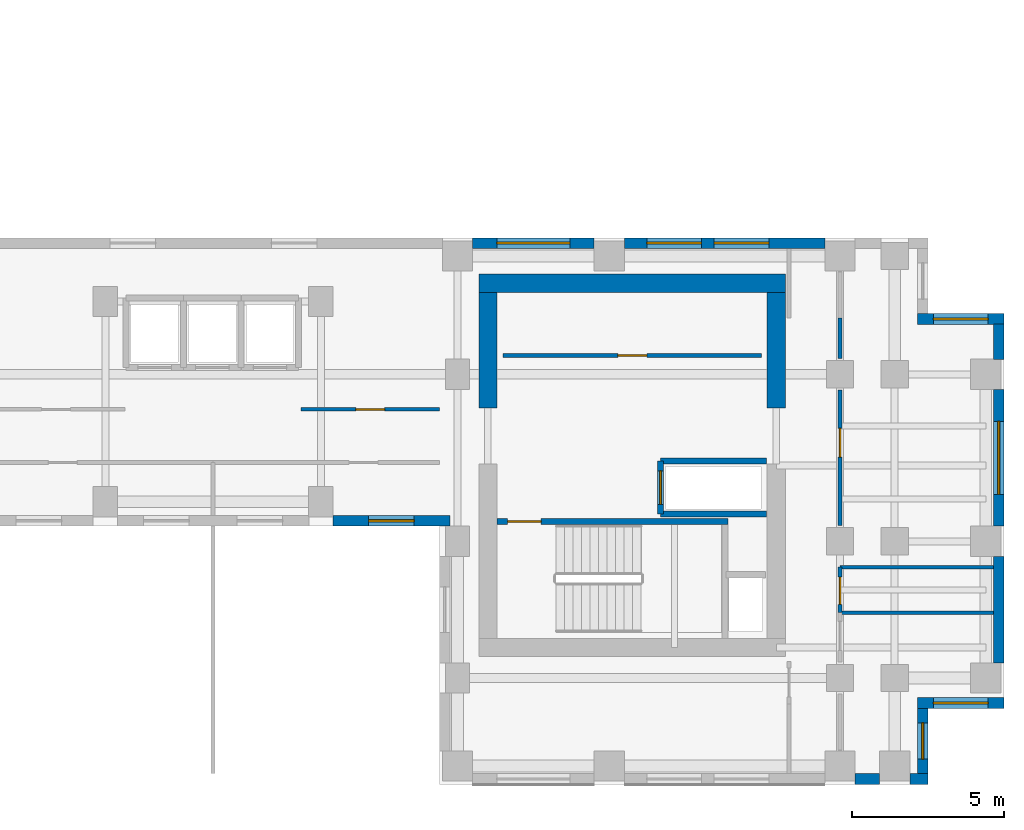
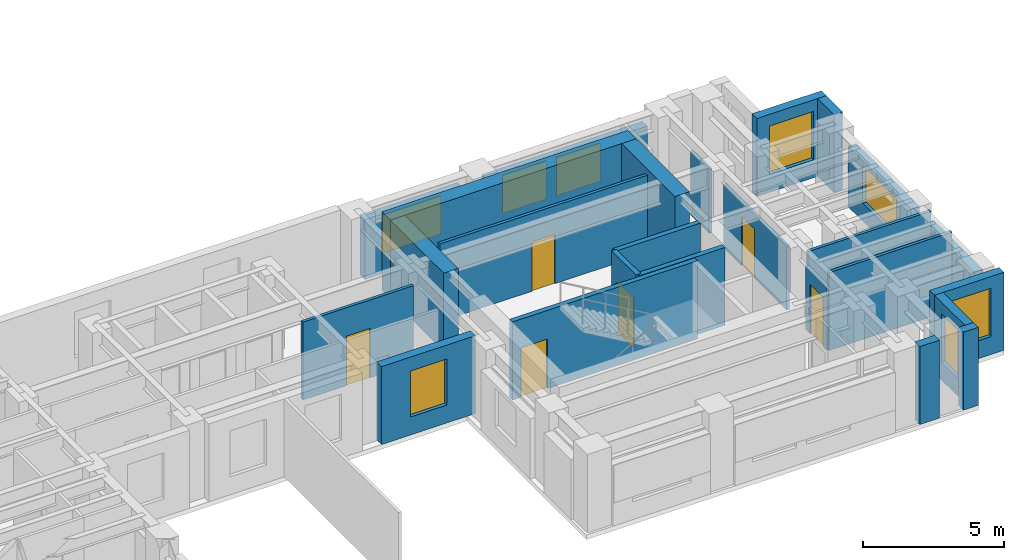
# One storey, part 7 of 10: 25 walls, 8 windows, 6 doors, 14 openings.
"""IFC4 building model written with IfcOpenShell, lengths in metres."""

from ifc_helpers import new_model, si_unit, direction, frame, frame_2d, origin, place, context, subcontext, project, spatial, rectangle, extrude, source, transform, mapped, material, layer, layer_set, type_object, element, fill, save


model = new_model("IFC4")

# Units and contexts
model_context = context("Model", 3, precision=1e-05, world=origin(), true_north=direction((0.0, 1.0)))
body_context = subcontext(model_context, "Body", "Model", "MODEL_VIEW")
ifc_project = project(units=[si_unit("LENGTHUNIT", "METRE"), si_unit("AREAUNIT", "SQUARE_METRE"), si_unit("VOLUMEUNIT", "CUBIC_METRE"), si_unit("PLANEANGLEUNIT", "RADIAN"), si_unit("MASSUNIT", "GRAM", prefix="KILO")], contexts=[model_context])

# Site, building, storey
site_placement = place(None, origin())
site = spatial("IfcSite", under=ifc_project, at=site_placement, CompositionType="ELEMENT")
building_placement = place(site_placement, origin())
building = spatial("IfcBuilding", under=site, at=building_placement, Name="Kharzan Plaza Tower", CompositionType="ELEMENT")
storey_placement = place(building_placement, frame((0.0, 0.0, 157.5)))
storey = spatial("IfcBuildingStorey", under=building, at=storey_placement, Name="L42", CompositionType="ELEMENT", Elevation=157.5)

# Wall, opening, window
ifc_material_1 = material(Name="Concrete C40/50", Category="concrete")
ifc_layer_1 = layer(ifc_material_1, 0.35009765625)
ifc_layer_set_1 = layer_set([ifc_layer_1], Name="Concrete C40/50")
wall_type_1 = type_object("IfcWallType", Name="WL-EXT-MAS-Z3", PredefinedType="SOLIDWALL", material=ifc_layer_set_1)
wall_1_placement = place(storey_placement, frame((30.89794921875, 8.675048828125, 0.0), z_axis=(0.0, 0.0, 1.0), x_axis=(1.0, 0.0, 0.0)))
wall_1 = element("IfcWall", 1, at=wall_1_placement, inside=storey, type_object=wall_type_1, Name="L42 Masonry-Frame Exterior Wall 28", PredefinedType="SOLIDWALL", context=body_context, shape_type="SweptSolid", body=[
    extrude(rectangle(XDim=3.85205078125, YDim=0.35009765625, at=frame_2d((1.926025390625, 0.0))), origin(), (0.0, 0.0, 1.0), 3.385009765625),
])
opening_1_placement = place(wall_1_placement, frame((1.176025390625, 0.0, 0.780029296875)))
opening_1 = element("IfcOpeningElement", 2, at=opening_1_placement, cuts=wall_1, Name="Opening W5", PredefinedType="OPENING", context=body_context, shape_type="SweptSolid", body=[
    extrude(rectangle(XDim=1.5, YDim=2.0, at=frame_2d((0.75, 1.0))), frame((0.0, 0.18505859375, 0.0), z_axis=(0.0, -1.0, 0.0), x_axis=(1.0, 0.0, 0.0)), (0.0, 0.0, 1.0), 0.3701171875),
])
ifc_material_2 = material(Name="Low-E Double Glazing", Category="glass")
window_type_1 = type_object("IfcWindowType", Name="WN-SLT-1500x2000", PartitioningType="SINGLE_PANEL", PredefinedType="WINDOW", material=ifc_material_2)
shared_shape_1 = source(origin(), body_context, "Body", "SweptSolid", [
    extrude(rectangle(XDim=1.5, YDim=2.0, at=frame_2d((0.75, 1.0))), frame((0.0, 0.030029296875, 0.0), z_axis=(0.0, -1.0, 0.0), x_axis=(1.0, 0.0, 0.0)), (0.0, 0.0, 1.0), 0.06005859375),
])
window_1_placement = place(opening_1_placement, origin())
window_1 = element("IfcWindow", 3, at=window_1_placement, inside=storey, type_object=window_type_1, Name="L42 Recessed Solar-Control Window 28-1", OverallHeight=2.0, OverallWidth=1.5, PartitioningType="SINGLE_PANEL", PredefinedType="WINDOW", context=body_context, shape_type="MappedRepresentation", body=[
    mapped(shared_shape_1, transform((0.0, 0.0, 0.0), x_axis=(1.0, 0.0, 0.0), y_axis=(0.0, 1.0, 0.0), z_axis=(0.0, 0.0, 1.0))),
])
fill(opening_1, window_1)

wall_2_placement = place(storey_placement, frame((50.324951171875, 0.347900390625, 0.0), z_axis=(0.0, 0.0, 1.0), x_axis=(0.0, 1.0, 0.0)))
wall_2 = element("IfcWall", 4, at=wall_2_placement, inside=storey, type_object=wall_type_1, Name="L42 Masonry-Frame Exterior Wall 35", PredefinedType="SOLIDWALL", context=body_context, shape_type="SweptSolid", body=[
    extrude(rectangle(XDim=2.154052734375, YDim=0.35009765625, at=frame_2d((1.0771484375, 0.0))), origin(), (0.0, 0.0, 1.0), 3.385009765625),
])
opening_2_placement = place(wall_2_placement, frame((0.47705078125, 0.0, 0.780029296875)))
opening_2 = element("IfcOpeningElement", 5, at=opening_2_placement, cuts=wall_2, Name="Opening W3", PredefinedType="OPENING", context=body_context, shape_type="SweptSolid", body=[
    extrude(rectangle(XDim=1.199951171875, YDim=2.10009765625, at=frame_2d((0.60009765625, 1.050048828125))), frame((0.0, 0.18505859375, 0.0), z_axis=(0.0, -1.0, 0.0), x_axis=(1.0, 0.0, 0.0)), (0.0, 0.0, 1.0), 0.3701171875),
])
window_type_2 = type_object("IfcWindowType", Name="WN-REC-1200x2100", PartitioningType="SINGLE_PANEL", PredefinedType="WINDOW", material=ifc_material_2)
shared_shape_2 = source(origin(), body_context, "Body", "SweptSolid", [
    extrude(rectangle(XDim=1.199951171875, YDim=2.10009765625, at=frame_2d((0.60009765625, 1.050048828125))), frame((0.0, 0.030029296875, 0.0), z_axis=(0.0, -1.0, 0.0), x_axis=(1.0, 0.0, 0.0)), (0.0, 0.0, 1.0), 0.06005859375),
])
window_2_placement = place(opening_2_placement, origin())
window_2 = element("IfcWindow", 6, at=window_2_placement, inside=storey, type_object=window_type_2, Name="L42 Recessed Solar-Control Window 35-1", OverallHeight=2.10009765625, OverallWidth=1.199951171875, PartitioningType="SINGLE_PANEL", PredefinedType="WINDOW", context=body_context, shape_type="MappedRepresentation", body=[
    mapped(shared_shape_2, transform((0.0, 0.0, 0.0), x_axis=(1.0, 0.0, 0.0), y_axis=(0.0, 1.0, 0.0), z_axis=(0.0, 0.0, 1.0))),
])
fill(opening_2, window_2)

wall_3_placement = place(storey_placement, frame((50.14990234375, 2.675048828125, 0.0), z_axis=(0.0, 0.0, 1.0), x_axis=(1.0, 0.0, 0.0)))
wall_3 = element("IfcWall", 7, at=wall_3_placement, inside=storey, type_object=wall_type_1, Name="L42 Masonry-Frame Exterior Wall 36", PredefinedType="SOLIDWALL", context=body_context, shape_type="SweptSolid", body=[
    extrude(rectangle(XDim=2.85009765625, YDim=0.35009765625, at=frame_2d((1.425048828125, 0.0))), origin(), (0.0, 0.0, 1.0), 3.385009765625),
])
opening_3_placement = place(wall_3_placement, frame((0.52490234375, 0.0, 0.780029296875)))
opening_3 = element("IfcOpeningElement", 8, at=opening_3_placement, cuts=wall_3, Name="Opening W1", PredefinedType="OPENING", context=body_context, shape_type="SweptSolid", body=[
    extrude(rectangle(XDim=1.800048828125, YDim=2.10009765625, at=frame_2d((0.89990234375, 1.050048828125))), frame((0.0, 0.18505859375, 0.0), z_axis=(0.0, -1.0, 0.0), x_axis=(1.0, 0.0, 0.0)), (0.0, 0.0, 1.0), 0.3701171875),
])
window_type_3 = type_object("IfcWindowType", Name="WN-REC-1800x2100", PartitioningType="SINGLE_PANEL", PredefinedType="WINDOW", material=ifc_material_2)
shared_shape_3 = source(origin(), body_context, "Body", "SweptSolid", [
    extrude(rectangle(XDim=1.800048828125, YDim=2.10009765625, at=frame_2d((0.89990234375, 1.050048828125))), frame((0.0, 0.030029296875, 0.0), z_axis=(0.0, -1.0, 0.0), x_axis=(1.0, 0.0, 0.0)), (0.0, 0.0, 1.0), 0.06005859375),
])
window_3_placement = place(opening_3_placement, origin())
window_3 = element("IfcWindow", 9, at=window_3_placement, inside=storey, type_object=window_type_3, Name="L42 Recessed Solar-Control Window 36-1", OverallHeight=2.10009765625, OverallWidth=1.800048828125, PartitioningType="SINGLE_PANEL", PredefinedType="WINDOW", context=body_context, shape_type="MappedRepresentation", body=[
    mapped(shared_shape_3, transform((0.0, 0.0, 0.0), x_axis=(1.0, 0.0, 0.0), y_axis=(0.0, 1.0, 0.0), z_axis=(0.0, 0.0, 1.0))),
])
fill(opening_3, window_3)

wall_4_placement = place(storey_placement, frame((52.824951171875, 8.498046875, 0.0), z_axis=(0.0, 0.0, 1.0), x_axis=(0.0, 1.0, 0.0)))
wall_4 = element("IfcWall", 10, at=wall_4_placement, inside=storey, type_object=wall_type_1, Name="L42 Masonry-Frame Exterior Wall 38", PredefinedType="SOLIDWALL", context=body_context, shape_type="SweptSolid", body=[
    extrude(rectangle(XDim=4.50390625, YDim=0.35009765625, at=frame_2d((2.251953125, 0.0))), origin(), (0.0, 0.0, 1.0), 2.612060546875),
])
opening_4_placement = place(wall_4_placement, frame((1.052001953125, 0.0, 0.780029296875)))
opening_4 = element("IfcOpeningElement", 11, at=opening_4_placement, cuts=wall_4, Name="Opening W2", PredefinedType="OPENING", context=body_context, shape_type="SweptSolid", body=[
    extrude(rectangle(XDim=2.39990234375, YDim=1.652099609375, at=frame_2d((1.199951171875, 0.826171875))), frame((0.0, 0.18505859375, 0.0), z_axis=(0.0, -1.0, 0.0), x_axis=(1.0, 0.0, 0.0)), (0.0, 0.0, 1.0), 0.3701171875),
])
window_type_4 = type_object("IfcWindowType", Name="WN-REC-2400x2100", PartitioningType="SINGLE_PANEL", PredefinedType="WINDOW", material=ifc_material_2)
shared_shape_4 = source(origin(), body_context, "Body", "SweptSolid", [
    extrude(rectangle(XDim=2.39990234375, YDim=1.652099609375, at=frame_2d((1.199951171875, 0.826171875))), frame((0.0, 0.030029296875, 0.0), z_axis=(0.0, -1.0, 0.0), x_axis=(1.0, 0.0, 0.0)), (0.0, 0.0, 1.0), 0.06005859375),
])
window_4_placement = place(opening_4_placement, origin())
window_4 = element("IfcWindow", 12, at=window_4_placement, inside=storey, type_object=window_type_4, Name="L42 Wide Recessed Solar-Control Window 38-1", OverallHeight=1.652099609375, OverallWidth=2.39990234375, PartitioningType="SINGLE_PANEL", PredefinedType="WINDOW", context=body_context, shape_type="MappedRepresentation", body=[
    mapped(shared_shape_4, transform((0.0, 0.0, 0.0), x_axis=(1.0, 0.0, 0.0), y_axis=(0.0, 1.0, 0.0), z_axis=(0.0, 0.0, 1.0))),
])
fill(opening_4, window_4)

wall_5_placement = place(storey_placement, frame((53.0, 15.324951171875, 0.0), z_axis=(0.0, 0.0, 1.0), x_axis=(-1.0, 0.0, 0.0)))
wall_5 = element("IfcWall", 13, at=wall_5_placement, inside=storey, type_object=wall_type_1, Name="L42 Masonry-Frame Exterior Wall 40", PredefinedType="SOLIDWALL", context=body_context, shape_type="SweptSolid", body=[
    extrude(rectangle(XDim=2.85009765625, YDim=0.35009765625, at=frame_2d((1.425048828125, 0.0))), origin(), (0.0, 0.0, 1.0), 3.385009765625),
])
opening_5_placement = place(wall_5_placement, frame((0.52490234375, 0.0, 0.780029296875)))
opening_5 = element("IfcOpeningElement", 14, at=opening_5_placement, cuts=wall_5, Name="Opening W1", PredefinedType="OPENING", context=body_context, shape_type="SweptSolid", body=[
    extrude(rectangle(XDim=1.800048828125, YDim=2.10009765625, at=frame_2d((0.89990234375, 1.050048828125))), frame((0.0, 0.18505859375, 0.0), z_axis=(0.0, -1.0, 0.0), x_axis=(1.0, 0.0, 0.0)), (0.0, 0.0, 1.0), 0.3701171875),
])
window_5_placement = place(opening_5_placement, origin())
window_5 = element("IfcWindow", 15, at=window_5_placement, inside=storey, type_object=window_type_3, Name="L42 Recessed Solar-Control Window 40-1", OverallHeight=2.10009765625, OverallWidth=1.800048828125, PartitioningType="SINGLE_PANEL", PredefinedType="WINDOW", context=body_context, shape_type="MappedRepresentation", body=[
    mapped(shared_shape_3, transform((0.0, 0.0, 0.0), x_axis=(1.0, 0.0, 0.0), y_axis=(0.0, 1.0, 0.0), z_axis=(0.0, 0.0, 1.0))),
])
fill(opening_5, window_5)

# Wall, openings, windows
wall_6_placement = place(storey_placement, frame((47.10205078125, 17.824951171875, 0.0), z_axis=(0.0, 0.0, 1.0), x_axis=(-1.0, 0.0, 0.0)))
wall_6 = element("IfcWall", 16, at=wall_6_placement, inside=storey, type_object=wall_type_1, Name="L42 Masonry-Frame Exterior Wall 44", PredefinedType="SOLIDWALL", context=body_context, shape_type="SweptSolid", body=[
    extrude(rectangle(XDim=6.60400390625, YDim=0.35009765625, at=frame_2d((3.302001953125, 0.0))), origin(), (0.0, 0.0, 1.0), 2.612060546875),
])
opening_6_placement = place(wall_6_placement, frame((1.849365234375, 0.0, 0.780029296875)))
opening_6 = element("IfcOpeningElement", 17, at=opening_6_placement, cuts=wall_6, Name="Opening W1", PredefinedType="OPENING", context=body_context, shape_type="SweptSolid", body=[
    extrude(rectangle(XDim=1.800048828125, YDim=1.652099609375, at=frame_2d((0.89990234375, 0.826171875))), frame((0.0, 0.18505859375, 0.0), z_axis=(0.0, -1.0, 0.0), x_axis=(1.0, 0.0, 0.0)), (0.0, 0.0, 1.0), 0.3701171875),
])
opening_7_placement = place(wall_6_placement, frame((4.066650390625, 0.0, 0.780029296875)))
opening_7 = element("IfcOpeningElement", 18, at=opening_7_placement, cuts=wall_6, Name="Opening W1", PredefinedType="OPENING", context=body_context, shape_type="SweptSolid", body=[
    extrude(rectangle(XDim=1.800048828125, YDim=1.652099609375, at=frame_2d((0.89990234375, 0.826171875))), frame((0.0, 0.18505859375, 0.0), z_axis=(0.0, -1.0, 0.0), x_axis=(1.0, 0.0, 0.0)), (0.0, 0.0, 1.0), 0.3701171875),
])
shared_shape_5 = source(origin(), body_context, "Body", "SweptSolid", [
    extrude(rectangle(XDim=1.800048828125, YDim=1.652099609375, at=frame_2d((0.89990234375, 0.826171875))), frame((0.0, 0.030029296875, 0.0), z_axis=(0.0, -1.0, 0.0), x_axis=(1.0, 0.0, 0.0)), (0.0, 0.0, 1.0), 0.06005859375),
])
window_6_placement = place(opening_6_placement, origin())
window_6 = element("IfcWindow", 19, at=window_6_placement, inside=storey, type_object=window_type_3, Name="L42 Recessed Solar-Control Window 44-1", OverallHeight=1.652099609375, OverallWidth=1.800048828125, PartitioningType="SINGLE_PANEL", PredefinedType="WINDOW", context=body_context, shape_type="MappedRepresentation", body=[
    mapped(shared_shape_5, transform((0.0, 0.0, 0.0), x_axis=(1.0, 0.0, 0.0), y_axis=(0.0, 1.0, 0.0), z_axis=(0.0, 0.0, 1.0))),
])
fill(opening_6, window_6)
window_7_placement = place(opening_7_placement, origin())
window_7 = element("IfcWindow", 20, at=window_7_placement, inside=storey, type_object=window_type_3, Name="L42 Recessed Solar-Control Window 44-2", OverallHeight=1.652099609375, OverallWidth=1.800048828125, PartitioningType="SINGLE_PANEL", PredefinedType="WINDOW", context=body_context, shape_type="MappedRepresentation", body=[
    mapped(shared_shape_5, transform((0.0, 0.0, 0.0), x_axis=(1.0, 0.0, 0.0), y_axis=(0.0, 1.0, 0.0), z_axis=(0.0, 0.0, 1.0))),
])
fill(opening_7, window_7)

# Wall, opening, window
wall_7_placement = place(storey_placement, frame((39.501953125, 17.824951171875, 0.0), z_axis=(0.0, 0.0, 1.0), x_axis=(-1.0, 0.0, 0.0)))
wall_7 = element("IfcWall", 21, at=wall_7_placement, inside=storey, type_object=wall_type_1, Name="L42 Masonry-Frame Exterior Wall 45", PredefinedType="SOLIDWALL", context=body_context, shape_type="SweptSolid", body=[
    extrude(rectangle(XDim=4.00390625, YDim=0.35009765625, at=frame_2d((2.001953125, 0.0))), origin(), (0.0, 0.0, 1.0), 2.612060546875),
])
opening_8_placement = place(wall_7_placement, frame((0.802001953125, 0.0, 0.780029296875)))
opening_8 = element("IfcOpeningElement", 22, at=opening_8_placement, cuts=wall_7, Name="Opening W2", PredefinedType="OPENING", context=body_context, shape_type="SweptSolid", body=[
    extrude(rectangle(XDim=2.39990234375, YDim=1.652099609375, at=frame_2d((1.199951171875, 0.826171875))), frame((0.0, 0.18505859375, 0.0), z_axis=(0.0, -1.0, 0.0), x_axis=(1.0, 0.0, 0.0)), (0.0, 0.0, 1.0), 0.3701171875),
])
window_8_placement = place(opening_8_placement, origin())
window_8 = element("IfcWindow", 23, at=window_8_placement, inside=storey, type_object=window_type_4, Name="L42 Wide Recessed Solar-Control Window 45-1", OverallHeight=1.652099609375, OverallWidth=2.39990234375, PartitioningType="SINGLE_PANEL", PredefinedType="WINDOW", context=body_context, shape_type="MappedRepresentation", body=[
    mapped(shared_shape_4, transform((0.0, 0.0, 0.0), x_axis=(1.0, 0.0, 0.0), y_axis=(0.0, 1.0, 0.0), z_axis=(0.0, 0.0, 1.0))),
])
fill(opening_8, window_8)

# Wall, opening, door
ifc_material_3 = material(Name="Fire-Rated Gypsum Board Partition", Category="gypsum")
ifc_layer_2 = layer(ifc_material_3, 0.125)
ifc_layer_set_2 = layer_set([ifc_layer_2], Name="Fire-Rated Gypsum Board Partition")
wall_type_2 = type_object("IfcWallType", Name="WL-INT-PART-125", PredefinedType="PARTITIONING", material=ifc_layer_set_2)
wall_8_placement = place(storey_placement, frame((36.5, 14.1201171875, 0.0), z_axis=(0.0, 0.0, 1.0), x_axis=(1.0, 0.0, 0.0)))
wall_8 = element("IfcWall", 24, at=wall_8_placement, inside=storey, type_object=wall_type_2, Name="L42 Interior Partition CB-RBLS1", PredefinedType="PARTITIONING", context=body_context, shape_type="SweptSolid", body=[
    extrude(rectangle(XDim=8.52001953125, YDim=0.125, at=frame_2d((4.260009765625, 0.0))), origin(), (0.0, 0.0, 1.0), 3.385009765625),
])
opening_9_placement = place(wall_8_placement, frame((3.784912109375, 0.0, 0.0)))
opening_9 = element("IfcOpeningElement", 25, at=opening_9_placement, cuts=wall_8, Name="Opening OD1", PredefinedType="OPENING", context=body_context, shape_type="SweptSolid", body=[
    extrude(rectangle(XDim=0.949951171875, YDim=2.14990234375, at=frame_2d((0.47509765625, 1.074951171875))), frame((0.0, 0.072509765625, 0.0), z_axis=(0.0, -1.0, 0.0), x_axis=(1.0, 0.0, 0.0)), (0.0, 0.0, 1.0), 0.14501953125),
])
ifc_material_4 = material(Name="Acoustic Solid-Core Stained Oak", Category="timber")
door_type_1 = type_object("IfcDoorType", Name="DR-OFF-SINGLE", OperationType="NOTDEFINED", PredefinedType="DOOR", material=ifc_material_4)
shared_shape_6 = source(origin(), body_context, "Body", "SweptSolid", [
    extrude(rectangle(XDim=0.949951171875, YDim=2.14990234375, at=frame_2d((0.47509765625, 1.074951171875))), frame((0.0, 0.02490234375, 0.0), z_axis=(0.0, -1.0, 0.0), x_axis=(1.0, 0.0, 0.0)), (0.0, 0.0, 1.0), 0.050048828125),
])
door_1_placement = place(opening_9_placement, origin())
door_1 = element("IfcDoor", 26, at=door_1_placement, inside=storey, type_object=door_type_1, Name="L42 Mail Room Door", OperationType="SINGLE_SWING_RIGHT", OverallHeight=2.14990234375, OverallWidth=0.949951171875, PredefinedType="DOOR", context=body_context, shape_type="MappedRepresentation", body=[
    mapped(shared_shape_6, transform((0.0, 0.0, 0.0), x_axis=(1.0, 0.0, 0.0), y_axis=(0.0, 1.0, 0.0), z_axis=(0.0, 0.0, 1.0))),
])
fill(opening_9, door_1)

wall_9_placement = place(storey_placement, frame((47.60009765625, 8.52001953125, 0.0), z_axis=(0.0, 0.0, 1.0), x_axis=(0.0, 1.0, 0.0)))
wall_9 = element("IfcWall", 27, at=wall_9_placement, inside=storey, type_object=wall_type_2, Name="L42 Interior Partition SH-B0W1-S1", PredefinedType="PARTITIONING", context=body_context, shape_type="SweptSolid", body=[
    extrude(rectangle(XDim=4.4599609375, YDim=0.125, at=frame_2d((2.22998046875, 0.0))), origin(), (0.0, 0.0, 1.0), 2.77294921875),
])
opening_10_placement = place(wall_9_placement, frame((2.2548828125, 0.0, 0.0)))
opening_10 = element("IfcOpeningElement", 28, at=opening_10_placement, cuts=wall_9, Name="Opening OD1", PredefinedType="OPENING", context=body_context, shape_type="SweptSolid", body=[
    extrude(rectangle(XDim=0.949951171875, YDim=2.14990234375, at=frame_2d((0.47509765625, 1.074951171875))), frame((0.0, 0.072509765625, 0.0), z_axis=(0.0, -1.0, 0.0), x_axis=(1.0, 0.0, 0.0)), (0.0, 0.0, 1.0), 0.14501953125),
])
door_2_placement = place(opening_10_placement, origin())
door_2 = element("IfcDoor", 29, at=door_2_placement, inside=storey, type_object=door_type_1, Name="L42 Open Engineering Workspace Door", OperationType="SINGLE_SWING_RIGHT", OverallHeight=2.14990234375, OverallWidth=0.949951171875, PredefinedType="DOOR", context=body_context, shape_type="MappedRepresentation", body=[
    mapped(shared_shape_6, transform((0.0, 0.0, 0.0), x_axis=(1.0, 0.0, 0.0), y_axis=(0.0, 1.0, 0.0), z_axis=(0.0, 0.0, 1.0))),
])
fill(opening_10, door_2)

wall_10_placement = place(storey_placement, frame((47.60009765625, 5.64990234375, 0.0), z_axis=(0.0, 0.0, 1.0), x_axis=(0.0, 1.0, 0.0)))
wall_10 = element("IfcWall", 30, at=wall_10_placement, inside=storey, type_object=wall_type_2, Name="L42 Interior Partition SH-B0WC", PredefinedType="PARTITIONING", context=body_context, shape_type="SweptSolid", body=[
    extrude(rectangle(XDim=1.5, YDim=0.125, at=frame_2d((0.75, 0.0))), origin(), (0.0, 0.0, 1.0), 2.77294921875),
])
opening_11_placement = place(wall_10_placement, frame((0.27490234375, 0.0, 0.0)))
opening_11 = element("IfcOpeningElement", 31, at=opening_11_placement, cuts=wall_10, Name="Opening WD1", PredefinedType="OPENING", context=body_context, shape_type="SweptSolid", body=[
    extrude(rectangle(XDim=0.89990234375, YDim=2.14990234375, at=frame_2d((0.449951171875, 1.074951171875))), frame((0.0, 0.072509765625, 0.0), z_axis=(0.0, -1.0, 0.0), x_axis=(1.0, 0.0, 0.0)), (0.0, 0.0, 1.0), 0.14501953125),
])
ifc_material_5 = material(Name="Moisture-Resistant Fire-Rated Laminate", Category="timber")
door_type_2 = type_object("IfcDoorType", Name="DR-WC-900", OperationType="NOTDEFINED", PredefinedType="DOOR", material=ifc_material_5)
shared_shape_7 = source(origin(), body_context, "Body", "SweptSolid", [
    extrude(rectangle(XDim=0.89990234375, YDim=2.14990234375, at=frame_2d((0.449951171875, 1.074951171875))), frame((0.0, 0.02490234375, 0.0), z_axis=(0.0, -1.0, 0.0), x_axis=(1.0, 0.0, 0.0)), (0.0, 0.0, 1.0), 0.050048828125),
])
door_3_placement = place(opening_11_placement, origin())
door_3 = element("IfcDoor", 32, at=door_3_placement, inside=storey, type_object=door_type_2, Name="L42 Wing B Washroom Door", OperationType="SINGLE_SWING_LEFT", OverallHeight=2.14990234375, OverallWidth=0.89990234375, PredefinedType="DOOR", context=body_context, shape_type="MappedRepresentation", body=[
    mapped(shared_shape_7, transform((0.0, 0.0, 0.0), x_axis=(1.0, 0.0, 0.0), y_axis=(0.0, 1.0, 0.0), z_axis=(0.0, 0.0, 1.0))),
])
fill(opening_11, door_3)

wall_11_placement = place(storey_placement, frame((29.85009765625, 12.35009765625, 0.0), z_axis=(0.0, 0.0, 1.0), x_axis=(1.0, 0.0, 0.0)))
wall_11 = element("IfcWall", 33, at=wall_11_placement, inside=storey, type_object=wall_type_2, Name="L42 Interior Partition SH-SPNE1", PredefinedType="PARTITIONING", context=body_context, shape_type="SweptSolid", body=[
    extrude(rectangle(XDim=4.5498046875, YDim=0.125, at=frame_2d((2.27490234375, 0.0))), origin(), (0.0, 0.0, 1.0), 3.385009765625),
])
opening_12_placement = place(wall_11_placement, frame((1.800048828125, 0.0, 0.0)))
opening_12 = element("IfcOpeningElement", 34, at=opening_12_placement, cuts=wall_11, Name="Opening OD1", PredefinedType="OPENING", context=body_context, shape_type="SweptSolid", body=[
    extrude(rectangle(XDim=0.949951171875, YDim=2.14990234375, at=frame_2d((0.47509765625, 1.074951171875))), frame((0.0, 0.072509765625, 0.0), z_axis=(0.0, -1.0, 0.0), x_axis=(1.0, 0.0, 0.0)), (0.0, 0.0, 1.0), 0.14501953125),
])
door_4_placement = place(opening_12_placement, origin())
door_4 = element("IfcDoor", 35, at=door_4_placement, inside=storey, type_object=door_type_1, Name="L42 North-East Spine Door", OperationType="SINGLE_SWING_RIGHT", OverallHeight=2.14990234375, OverallWidth=0.949951171875, PredefinedType="DOOR", context=body_context, shape_type="MappedRepresentation", body=[
    mapped(shared_shape_6, transform((0.0, 0.0, 0.0), x_axis=(1.0, 0.0, 0.0), y_axis=(0.0, 1.0, 0.0), z_axis=(0.0, 0.0, 1.0))),
])
fill(opening_12, door_4)

ifc_layer_3 = layer(ifc_material_1, 0.199951171875)
ifc_layer_set_3 = layer_set([ifc_layer_3], Name="Concrete C40/50")
wall_type_3 = type_object("IfcWallType", Name="WL-INT-SHAFT-200", PredefinedType="PARTITIONING", material=ifc_layer_set_3)
wall_12_placement = place(storey_placement, frame((41.679931640625, 8.89990234375, 0.0), z_axis=(0.0, 0.0, 1.0), x_axis=(0.0, 1.0, 0.0)))
wall_12 = element("IfcWall", 36, at=wall_12_placement, inside=storey, type_object=wall_type_3, Name="L42 Interior Partition SHF-SVL-2-W", PredefinedType="PARTITIONING", context=body_context, shape_type="SweptSolid", body=[
    extrude(rectangle(XDim=1.739990234375, YDim=0.199951171875, at=frame_2d((0.8701171875, 0.0))), origin(), (0.0, 0.0, 1.0), 3.385009765625),
])
opening_13_placement = place(wall_12_placement, frame((0.320068359375, 0.0, 0.0)))
opening_13 = element("IfcOpeningElement", 37, at=opening_13_placement, cuts=wall_12, Name="Opening LD", PredefinedType="OPENING", context=body_context, shape_type="SweptSolid", body=[
    extrude(rectangle(XDim=1.10009765625, YDim=2.199951171875, at=frame_2d((0.550048828125, 1.10009765625))), frame((0.0, 0.10986328125, 0.0), z_axis=(0.0, -1.0, 0.0), x_axis=(1.0, 0.0, 0.0)), (0.0, 0.0, 1.0), 0.219970703125),
])
ifc_material_6 = material(Name="Brushed Stainless Steel", Category="steel")
door_type_3 = type_object("IfcDoorType", Name="DR-LIFT-SLIDE", OperationType="SLIDING_TO_LEFT", PredefinedType="DOOR", material=ifc_material_6)
shared_shape_8 = source(origin(), body_context, "Body", "SweptSolid", [
    extrude(rectangle(XDim=1.10009765625, YDim=2.199951171875, at=frame_2d((0.550048828125, 1.10009765625))), frame((0.0, 0.02490234375, 0.0), z_axis=(0.0, -1.0, 0.0), x_axis=(1.0, 0.0, 0.0)), (0.0, 0.0, 1.0), 0.050048828125),
])
door_5_placement = place(opening_13_placement, origin())
door_5 = element("IfcDoor", 38, at=door_5_placement, inside=storey, type_object=door_type_3, Name="L42 Service Lift SVL-2 Sliding Landing Door", OperationType="SLIDING_TO_LEFT", OverallHeight=2.199951171875, OverallWidth=1.10009765625, PredefinedType="DOOR", context=body_context, shape_type="MappedRepresentation", body=[
    mapped(shared_shape_8, transform((0.0, 0.0, 0.0), x_axis=(1.0, 0.0, 0.0), y_axis=(0.0, 1.0, 0.0), z_axis=(0.0, 0.0, 1.0))),
])
fill(opening_13, door_5)

ifc_material_7 = material(Name="Concrete C50/60", Category="concrete")
ifc_layer_4 = layer(ifc_material_7, 0.199951171875)
ifc_layer_set_4 = layer_set([ifc_layer_4], Name="Concrete C50/60")
wall_type_4 = type_object("IfcWallType", Name="WL-SHAFT-RC200", PredefinedType="SHEAR", material=ifc_layer_set_4)
wall_13_placement = place(storey_placement, frame((36.302001953125, 8.655029296875, 0.0), z_axis=(0.0, 0.0, 1.0), x_axis=(1.0, 0.0, 0.0)))
wall_13 = element("IfcWall", 39, at=wall_13_placement, inside=storey, type_object=wall_type_4, Name="L42 Stair ST-3 North RC Shaft Wall", PredefinedType="SHEAR", context=body_context, shape_type="SweptSolid", body=[
    extrude(rectangle(XDim=7.60302734375, YDim=0.199951171875, at=frame_2d((3.801513671875, 0.0))), origin(), (0.0, 0.0, 1.0), 3.39990234375),
])
opening_14_placement = place(wall_13_placement, frame((0.35009765625, 0.0, 0.0)))
opening_14 = element("IfcOpeningElement", 40, at=opening_14_placement, cuts=wall_13, Name="Opening SD1", PredefinedType="OPENING", context=body_context, shape_type="SweptSolid", body=[
    extrude(rectangle(XDim=1.10009765625, YDim=2.14990234375, at=frame_2d((0.550048828125, 1.074951171875))), frame((0.0, 0.10986328125, 0.0), z_axis=(0.0, -1.0, 0.0), x_axis=(1.0, 0.0, 0.0)), (0.0, 0.0, 1.0), 0.219970703125),
])
ifc_material_8 = material(Name="Fire-Rated Hollow Galvanized Steel", Category="steel")
door_type_4 = type_object("IfcDoorType", Name="DR-STAIR-FD120", OperationType="NOTDEFINED", PredefinedType="DOOR", material=ifc_material_8)
shared_shape_9 = source(origin(), body_context, "Body", "SweptSolid", [
    extrude(rectangle(XDim=1.10009765625, YDim=2.14990234375, at=frame_2d((0.550048828125, 1.074951171875))), frame((0.0, 0.02490234375, 0.0), z_axis=(0.0, -1.0, 0.0), x_axis=(1.0, 0.0, 0.0)), (0.0, 0.0, 1.0), 0.050048828125),
])
door_6_placement = place(opening_14_placement, origin())
door_6 = element("IfcDoor", 41, at=door_6_placement, inside=storey, type_object=door_type_4, Name="L42 Stair ST-3 Fire Exit Door", OperationType="SINGLE_SWING_LEFT", OverallHeight=2.14990234375, OverallWidth=1.10009765625, PredefinedType="DOOR", context=body_context, shape_type="MappedRepresentation", body=[
    mapped(shared_shape_9, transform((0.0, 0.0, 0.0), x_axis=(1.0, 0.0, 0.0), y_axis=(0.0, 1.0, 0.0), z_axis=(0.0, 0.0, 1.0))),
])
fill(opening_14, door_6)

# Walls
ifc_layer_5 = layer(ifc_material_7, 0.60009765625)
ifc_layer_set_5 = layer_set([ifc_layer_5], Name="Concrete C50/60")
wall_type_5 = type_object("IfcWallType", Name="WL-CORE-600", PredefinedType="SHEAR", material=ifc_layer_set_5)
shared_shape_10 = source(origin(), body_context, "Body", "SweptSolid", [
    extrude(rectangle(XDim=3.800048828125, YDim=0.60009765625, at=frame_2d((1.89990234375, 0.0))), origin(), (0.0, 0.0, 1.0), 3.39990234375),
])
for number, where, z_axis, x_axis, name in (
    (42, (45.5, 12.39990234375, 0.0), (0.0, 0.0, 1.0), (0.0, 1.0, 0.0), "L42 CORE-B east shear pier 2"),
    (43, (36.0, 12.39990234375, 0.0), (0.0, 0.0, 1.0), (0.0, 1.0, 0.0), "L42 CORE-B west shear pier 2"),
):
    element("IfcWall", number, at=place(storey_placement, frame(where, z_axis=z_axis, x_axis=x_axis)), inside=storey, type_object=wall_type_5, Name=name, PredefinedType="SHEAR", context=body_context, shape_type="MappedRepresentation", body=[
        mapped(shared_shape_10, transform((0.0, 0.0, 0.0), x_axis=(1.0, 0.0, 0.0), y_axis=(0.0, 1.0, 0.0), z_axis=(0.0, 0.0, 1.0))),
    ])
shared_shape_11 = source(origin(), body_context, "Body", "SweptSolid", [
    extrude(rectangle(XDim=10.10009765625, YDim=0.60009765625, at=frame_2d((5.050048828125, 0.0))), origin(), (0.0, 0.0, 1.0), 3.39990234375),
])
wall_14_placement = place(storey_placement, frame((35.699951171875, 16.5, 0.0), z_axis=(0.0, 0.0, 1.0), x_axis=(1.0, 0.0, 0.0)))
element("IfcWall", 44, at=wall_14_placement, inside=storey, type_object=wall_type_5, Name="L42 CORE-B north RC shear wall", PredefinedType="SHEAR", context=body_context, shape_type="MappedRepresentation", body=[
    mapped(shared_shape_11, transform((0.0, 0.0, 0.0), x_axis=(1.0, 0.0, 0.0), y_axis=(0.0, 1.0, 0.0), z_axis=(0.0, 0.0, 1.0))),
])
shared_shape_12 = source(origin(), body_context, "Body", "SweptSolid", [
    extrude(rectangle(XDim=0.80419921875, YDim=0.35009765625, at=frame_2d((0.402099609375, 0.0))), origin(), (0.0, 0.0, 1.0), 3.385009765625),
])
wall_15_placement = place(storey_placement, frame((48.097900390625, 0.175048828125, 0.0), z_axis=(0.0, 0.0, 1.0), x_axis=(1.0, 0.0, 0.0)))
element("IfcWall", 45, at=wall_15_placement, inside=storey, type_object=wall_type_1, Name="L42 Masonry-Frame Exterior Wall 33", PredefinedType="SOLIDWALL", context=body_context, shape_type="MappedRepresentation", body=[
    mapped(shared_shape_12, transform((0.0, 0.0, 0.0), x_axis=(1.0, 0.0, 0.0), y_axis=(0.0, 1.0, 0.0), z_axis=(0.0, 0.0, 1.0))),
])
shared_shape_13 = source(origin(), body_context, "Body", "SweptSolid", [
    extrude(rectangle(XDim=0.60205078125, YDim=0.35009765625, at=frame_2d((0.301025390625, 0.0))), origin(), (0.0, 0.0, 1.0), 3.385009765625),
])
wall_16_placement = place(storey_placement, frame((49.89794921875, 0.175048828125, 0.0), z_axis=(0.0, 0.0, 1.0), x_axis=(1.0, 0.0, 0.0)))
element("IfcWall", 46, at=wall_16_placement, inside=storey, type_object=wall_type_1, Name="L42 Masonry-Frame Exterior Wall 34", PredefinedType="SOLIDWALL", context=body_context, shape_type="MappedRepresentation", body=[
    mapped(shared_shape_13, transform((0.0, 0.0, 0.0), x_axis=(1.0, 0.0, 0.0), y_axis=(0.0, 1.0, 0.0), z_axis=(0.0, 0.0, 1.0))),
])
shared_shape_14 = source(origin(), body_context, "Body", "SweptSolid", [
    extrude(rectangle(XDim=1.154052734375, YDim=0.35009765625, at=frame_2d((0.5771484375, 0.0))), origin(), (0.0, 0.0, 1.0), 3.385009765625),
])
wall_17_placement = place(storey_placement, frame((52.824951171875, 13.998046875, 0.0), z_axis=(0.0, 0.0, 1.0), x_axis=(0.0, 1.0, 0.0)))
element("IfcWall", 47, at=wall_17_placement, inside=storey, type_object=wall_type_1, Name="L42 Masonry-Frame Exterior Wall 39", PredefinedType="SOLIDWALL", context=body_context, shape_type="MappedRepresentation", body=[
    mapped(shared_shape_14, transform((0.0, 0.0, 0.0), x_axis=(1.0, 0.0, 0.0), y_axis=(0.0, 1.0, 0.0), z_axis=(0.0, 0.0, 1.0))),
])
shared_shape_15 = source(origin(), body_context, "Body", "SweptSolid", [
    extrude(rectangle(XDim=5.0478515625, YDim=0.125, at=frame_2d((2.52392578125, 0.0))), origin(), (0.0, 0.0, 1.0), 3.385009765625),
])
for number, where, z_axis, x_axis, name in (
    (48, (47.60009765625, 5.64990234375, 0.0), (0.0, 0.0, 1.0), (1.0, 0.0, 0.0), "L42 Interior Partition SH-B0H1"),
    (49, (47.60009765625, 7.14990234375, 0.0), (0.0, 0.0, 1.0), (1.0, 0.0, 0.0), "L42 Interior Partition SH-B0H2"),
):
    element("IfcWall", number, at=place(storey_placement, frame(where, z_axis=z_axis, x_axis=x_axis)), inside=storey, type_object=wall_type_2, Name=name, PredefinedType="PARTITIONING", context=body_context, shape_type="MappedRepresentation", body=[
        mapped(shared_shape_15, transform((0.0, 0.0, 0.0), x_axis=(1.0, 0.0, 0.0), y_axis=(0.0, 1.0, 0.0), z_axis=(0.0, 0.0, 1.0))),
    ])
shared_shape_16 = source(origin(), body_context, "Body", "SweptSolid", [
    extrude(rectangle(XDim=3.489990234375, YDim=0.199951171875, at=frame_2d((1.7451171875, 0.0))), origin(), (0.0, 0.0, 1.0), 3.385009765625),
])
for number, where, z_axis, x_axis, name in (
    (50, (41.679931640625, 10.639892578125, 0.0), (0.0, 0.0, 1.0), (1.0, 0.0, 0.0), "L42 Interior Partition SHF-SVL-2-N"),
    (51, (41.679931640625, 8.89990234375, 0.0), (0.0, 0.0, 1.0), (1.0, 0.0, 0.0), "L42 Interior Partition SHF-SVL-2-S"),
):
    element("IfcWall", number, at=place(storey_placement, frame(where, z_axis=z_axis, x_axis=x_axis)), inside=storey, type_object=wall_type_3, Name=name, PredefinedType="PARTITIONING", context=body_context, shape_type="MappedRepresentation", body=[
        mapped(shared_shape_16, transform((0.0, 0.0, 0.0), x_axis=(1.0, 0.0, 0.0), y_axis=(0.0, 1.0, 0.0), z_axis=(0.0, 0.0, 1.0))),
    ])
shared_shape_17 = source(origin(), body_context, "Body", "SweptSolid", [
    extrude(rectangle(XDim=3.50390625, YDim=0.35009765625, at=frame_2d((1.751953125, 0.0))), origin(), (0.0, 0.0, 1.0), 2.612060546875),
])
wall_18_placement = place(storey_placement, frame((52.824951171875, 3.998046875, 0.0), z_axis=(0.0, 0.0, 1.0), x_axis=(0.0, 1.0, 0.0)))
element("IfcWall", 52, at=wall_18_placement, inside=storey, type_object=wall_type_1, Name="L42 Masonry-Frame Exterior Wall 37", PredefinedType="SOLIDWALL", context=body_context, shape_type="MappedRepresentation", body=[
    mapped(shared_shape_17, transform((0.0, 0.0, 0.0), x_axis=(1.0, 0.0, 0.0), y_axis=(0.0, 1.0, 0.0), z_axis=(0.0, 0.0, 1.0))),
])
shared_shape_18 = source(origin(), body_context, "Body", "SweptSolid", [
    extrude(rectangle(XDim=1.330078125, YDim=0.125, at=frame_2d((0.6650390625, 0.0))), origin(), (0.0, 0.0, 1.0), 2.77294921875),
])
wall_19_placement = place(storey_placement, frame((47.60009765625, 14.02001953125, 0.0), z_axis=(0.0, 0.0, 1.0), x_axis=(0.0, 1.0, 0.0)))
element("IfcWall", 53, at=wall_19_placement, inside=storey, type_object=wall_type_2, Name="L42 Interior Partition SH-B0W1-S2", PredefinedType="PARTITIONING", context=body_context, shape_type="MappedRepresentation", body=[
    mapped(shared_shape_18, transform((0.0, 0.0, 0.0), x_axis=(1.0, 0.0, 0.0), y_axis=(0.0, 1.0, 0.0), z_axis=(0.0, 0.0, 1.0))),
])

save(model, "model.ifc")
